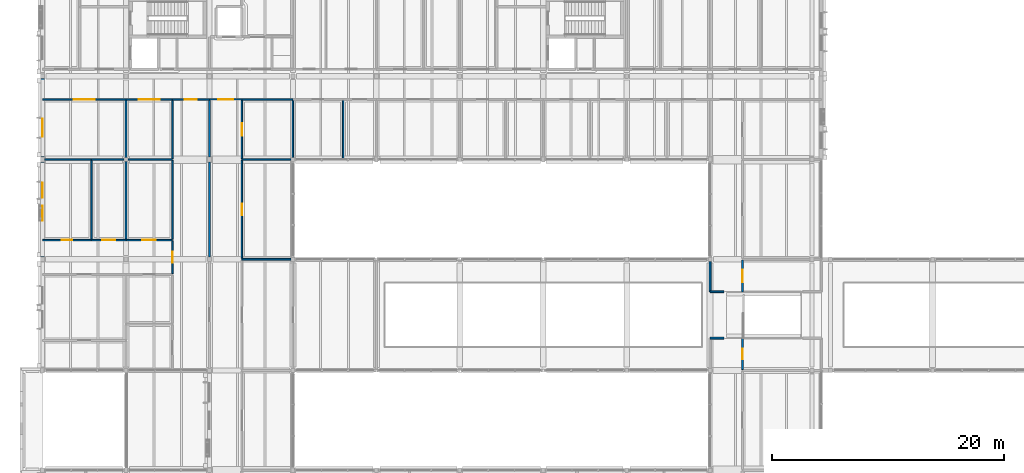
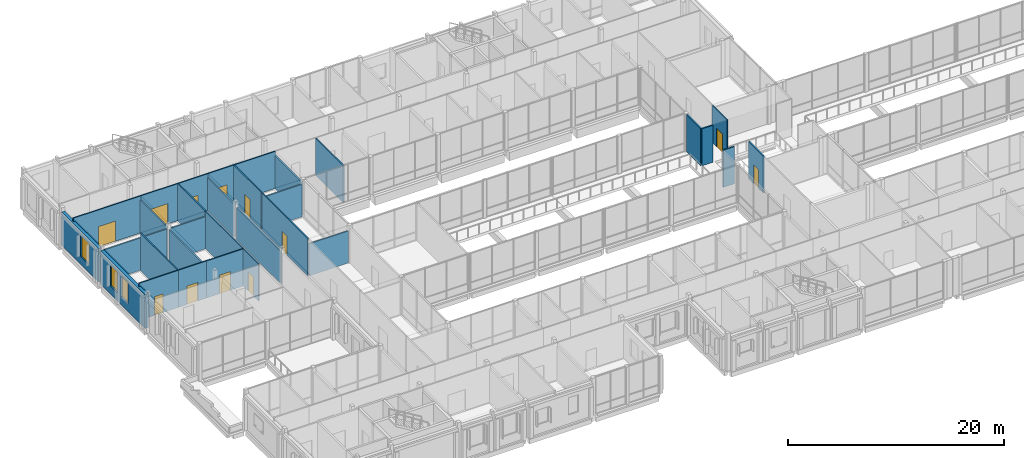
# One storey, part 108 of 146: 32 walls, 12 doors, 3 windows, 15 openings.
"""IFC4 building model written with IfcOpenShell, lengths in metres."""

from ifc_helpers import new_model, si_unit, direction, frame, frame_2d, origin, place, context, subcontext, project, spatial, rectangle, extrude, material, layer, layer_set, type_object, element, fill, save


model = new_model("IFC4")

# Units and contexts
model_context = context("Model", 3, precision=1e-05, world=origin(), true_north=direction((0.0, 1.0)))
body_context = subcontext(model_context, "Body", "Model", "MODEL_VIEW")
ifc_project = project(units=[si_unit("LENGTHUNIT", "METRE"), si_unit("AREAUNIT", "SQUARE_METRE"), si_unit("VOLUMEUNIT", "CUBIC_METRE"), si_unit("PLANEANGLEUNIT", "RADIAN"), si_unit("MASSUNIT", "GRAM", prefix="KILO")], contexts=[model_context])

# Site, building, storey
site_placement = place(None, origin())
site = spatial("IfcSite", under=ifc_project, at=site_placement, CompositionType="ELEMENT")
building_placement = place(site_placement, origin())
building = spatial("IfcBuilding", under=site, at=building_placement, Name="Hawrajan Terrace Health Centre", CompositionType="ELEMENT")
storey_placement = place(building_placement, frame((0.0, 0.0, 4.5)))
storey = spatial("IfcBuildingStorey", under=building, at=storey_placement, Name="L01", CompositionType="ELEMENT", Elevation=4.5)

# Wall, opening, door
ifc_material_1 = material(Name="Gypsum board on acoustic stud framing")
ifc_layer_1 = layer(ifc_material_1, 0.139892578125)
ifc_layer_set_1 = layer_set([ifc_layer_1], Name="Gypsum board on acoustic stud framing")
wall_type_1 = type_object("IfcWallType", Name="ClinicalAcousticWall_140", PredefinedType="PARTITIONING", material=ifc_layer_set_1)
wall_1_placement = place(storey_placement, frame((4.60009765625, 38.449951171875, 0.0), z_axis=(0.0, 0.0, 1.0), x_axis=(1.0, 0.0, 0.0)))
wall_1 = element("IfcWall", 1, at=wall_1_placement, inside=storey, type_object=wall_type_1, Name="Interior wall IW-L01-0510", PredefinedType="PARTITIONING", context=body_context, shape_type="SweptSolid", body=[
    extrude(rectangle(XDim=4.2119140625, YDim=0.139892578125, at=frame_2d((2.10595703125, 0.0))), origin(), (0.0, 0.0, 1.0), 4.179931640625),
])
opening_1_placement = place(wall_1_placement, frame((1.64599609375, 0.0, 0.0)))
opening_1 = element("IfcOpeningElement", 2, at=opening_1_placement, cuts=wall_1, Name="Opening D-L01-312", PredefinedType="OPENING", context=body_context, shape_type="SweptSolid", body=[
    extrude(rectangle(XDim=0.919921875, YDim=2.10009765625, at=frame_2d((0.4599609375, 1.050048828125))), frame((0.0, 0.079833984375, 0.0), z_axis=(0.0, -1.0, 0.0), x_axis=(1.0, 0.0, 0.0)), (0.0, 0.0, 1.0), 0.159912109375),
])
ifc_material_2 = material(Name="Hardwood acoustic clinical door leaf and frame", Category="wood")
door_type_1 = type_object("IfcDoorType", Name="StaffOfficeDoor_920x2100", OperationType="NOTDEFINED", PredefinedType="DOOR", material=ifc_material_2)
door_1_placement = place(opening_1_placement, origin())
door_1 = element("IfcDoor", 3, at=door_1_placement, inside=storey, type_object=door_type_1, Name="Interior door D-L01-312", OperationType="SINGLE_SWING_RIGHT", OverallHeight=2.10009765625, OverallWidth=0.919921875, PredefinedType="DOOR", context=body_context, shape_type="SweptSolid", body=[
    extrude(rectangle(XDim=0.919921875, YDim=2.10009765625, at=frame_2d((0.4599609375, 1.050048828125))), frame((0.0, 0.02490234375, 0.0), z_axis=(0.0, -1.0, 0.0), x_axis=(1.0, 0.0, 0.0)), (0.0, 0.0, 1.0), 0.050048828125),
])
fill(opening_1, door_1)

# Wall
wall_2_placement = place(storey_placement, frame((4.760009765625, 45.39990234375, 0.0), z_axis=(0.0, 0.0, 1.0), x_axis=(1.0, 0.0, 0.0)))
element("IfcWall", 4, at=wall_2_placement, inside=storey, type_object=wall_type_1, Name="Interior wall IW-L01-0511", PredefinedType="PARTITIONING", context=body_context, shape_type="SweptSolid", body=[
    extrude(rectangle(XDim=4.052001953125, YDim=0.139892578125, at=frame_2d((2.02587890625, 0.0))), origin(), (0.0, 0.0, 1.0), 3.659912109375),
])

# Wall, opening, door
wall_3_placement = place(storey_placement, frame((4.60009765625, 50.60009765625, 0.0), z_axis=(0.0, 0.0, 1.0), x_axis=(1.0, 0.0, 0.0)))
wall_3 = element("IfcWall", 5, at=wall_3_placement, inside=storey, type_object=wall_type_1, Name="Interior wall IW-L01-0512", PredefinedType="PARTITIONING", context=body_context, shape_type="SweptSolid", body=[
    extrude(rectangle(XDim=7.199951171875, YDim=0.139892578125, at=frame_2d((3.60009765625, 0.0))), origin(), (0.0, 0.0, 1.0), 4.179931640625),
])
opening_2_placement = place(wall_3_placement, frame((2.699951171875, 0.0, 0.0)))
opening_2 = element("IfcOpeningElement", 6, at=opening_2_placement, cuts=wall_3, Name="Opening D-L01-314", PredefinedType="OPENING", context=body_context, shape_type="SweptSolid", body=[
    extrude(rectangle(XDim=1.800048828125, YDim=2.300048828125, at=frame_2d((0.89990234375, 1.14990234375))), frame((0.0, 0.079833984375, 0.0), z_axis=(0.0, -1.0, 0.0), x_axis=(1.0, 0.0, 0.0)), (0.0, 0.0, 1.0), 0.159912109375),
])
door_type_2 = type_object("IfcDoorType", Name="EducationHallDoor_1800x2300", OperationType="DOUBLE_DOOR_SINGLE_SWING", PredefinedType="DOOR", material=ifc_material_2)
door_2_placement = place(opening_2_placement, origin())
door_2 = element("IfcDoor", 7, at=door_2_placement, inside=storey, type_object=door_type_2, Name="Interior door D-L01-314", OperationType="DOUBLE_DOOR_SINGLE_SWING", OverallHeight=2.300048828125, OverallWidth=1.800048828125, PredefinedType="DOOR", context=body_context, shape_type="SweptSolid", body=[
    extrude(rectangle(XDim=1.800048828125, YDim=2.300048828125, at=frame_2d((0.89990234375, 1.14990234375))), frame((0.0, 0.02490234375, 0.0), z_axis=(0.0, -1.0, 0.0), x_axis=(1.0, 0.0, 0.0)), (0.0, 0.0, 1.0), 0.050048828125),
])
fill(opening_2, door_2)

# Wall
wall_4_placement = place(storey_placement, frame((8.81201171875, 38.52001953125, 0.0), z_axis=(0.0, 0.0, 1.0), x_axis=(0.0, 1.0, 0.0)))
element("IfcWall", 8, at=wall_4_placement, inside=storey, type_object=wall_type_1, Name="Interior wall IW-L01-0520", PredefinedType="PARTITIONING", context=body_context, shape_type="SweptSolid", body=[
    extrude(rectangle(XDim=6.81005859375, YDim=0.139892578125, at=frame_2d((3.405029296875, 0.0))), origin(), (0.0, 0.0, 1.0), 4.179931640625),
])

# Wall, opening, door
wall_5_placement = place(storey_placement, frame((8.81201171875, 38.449951171875, 0.0), z_axis=(0.0, 0.0, 1.0), x_axis=(1.0, 0.0, 0.0)))
wall_5 = element("IfcWall", 9, at=wall_5_placement, inside=storey, type_object=wall_type_1, Name="Interior wall IW-L01-0521", PredefinedType="PARTITIONING", context=body_context, shape_type="SweptSolid", body=[
    extrude(rectangle(XDim=2.988037109375, YDim=0.139892578125, at=frame_2d((1.494140625, 0.0))), origin(), (0.0, 0.0, 1.0), 4.179931640625),
])
opening_3_placement = place(wall_5_placement, frame((0.9140625, 0.0, 0.0)))
opening_3 = element("IfcOpeningElement", 10, at=opening_3_placement, cuts=wall_5, Name="Opening D-L01-313", PredefinedType="OPENING", context=body_context, shape_type="SweptSolid", body=[
    extrude(rectangle(XDim=1.159912109375, YDim=2.10009765625, at=frame_2d((0.580078125, 1.050048828125))), frame((0.0, 0.079833984375, 0.0), z_axis=(0.0, -1.0, 0.0), x_axis=(1.0, 0.0, 0.0)), (0.0, 0.0, 1.0), 0.159912109375),
])
door_type_3 = type_object("IfcDoorType", Name="ConsultDoor_1160x2100", OperationType="NOTDEFINED", PredefinedType="DOOR", material=ifc_material_2)
door_3_placement = place(opening_3_placement, origin())
door_3 = element("IfcDoor", 11, at=door_3_placement, inside=storey, type_object=door_type_3, Name="Interior door D-L01-313", OperationType="SINGLE_SWING_LEFT", OverallHeight=2.10009765625, OverallWidth=1.159912109375, PredefinedType="DOOR", context=body_context, shape_type="SweptSolid", body=[
    extrude(rectangle(XDim=1.159912109375, YDim=2.10009765625, at=frame_2d((0.580078125, 1.050048828125))), frame((0.0, 0.02490234375, 0.0), z_axis=(0.0, -1.0, 0.0), x_axis=(1.0, 0.0, 0.0)), (0.0, 0.0, 1.0), 0.050048828125),
])
fill(opening_3, door_3)

# Walls
wall_6_placement = place(storey_placement, frame((8.81201171875, 45.39990234375, 0.0), z_axis=(0.0, 0.0, 1.0), x_axis=(1.0, 0.0, 0.0)))
element("IfcWall", 12, at=wall_6_placement, inside=storey, type_object=wall_type_1, Name="Interior wall IW-L01-0522", PredefinedType="PARTITIONING", context=body_context, shape_type="SweptSolid", body=[
    extrude(rectangle(XDim=2.80810546875, YDim=0.139892578125, at=frame_2d((1.404052734375, 0.0))), origin(), (0.0, 0.0, 1.0), 3.659912109375),
])
wall_7_placement = place(storey_placement, frame((11.800048828125, 38.52001953125, 0.0), z_axis=(0.0, 0.0, 1.0), x_axis=(0.0, 1.0, 0.0)))
element("IfcWall", 13, at=wall_7_placement, inside=storey, type_object=wall_type_1, Name="Interior wall IW-L01-0530", PredefinedType="PARTITIONING", context=body_context, shape_type="SweptSolid", body=[
    extrude(rectangle(XDim=6.699951171875, YDim=0.139892578125, at=frame_2d((3.35009765625, 0.0))), origin(), (0.0, 0.0, 1.0), 3.6201171875),
])

# Wall, opening, door
wall_8_placement = place(storey_placement, frame((11.800048828125, 38.449951171875, 0.0), z_axis=(0.0, 0.0, 1.0), x_axis=(1.0, 0.0, 0.0)))
wall_8 = element("IfcWall", 14, at=wall_8_placement, inside=storey, type_object=wall_type_1, Name="Interior wall IW-L01-0531", PredefinedType="PARTITIONING", context=body_context, shape_type="SweptSolid", body=[
    extrude(rectangle(XDim=4.0, YDim=0.139892578125, at=frame_2d((2.0, 0.0))), origin(), (0.0, 0.0, 1.0), 4.179931640625),
])
opening_4_placement = place(wall_8_placement, frame((1.419921875, 0.0, 0.0)))
opening_4 = element("IfcOpeningElement", 15, at=opening_4_placement, cuts=wall_8, Name="Opening D-L01-318", PredefinedType="OPENING", context=body_context, shape_type="SweptSolid", body=[
    extrude(rectangle(XDim=1.159912109375, YDim=2.10009765625, at=frame_2d((0.580078125, 1.050048828125))), frame((0.0, 0.079833984375, 0.0), z_axis=(0.0, -1.0, 0.0), x_axis=(1.0, 0.0, 0.0)), (0.0, 0.0, 1.0), 0.159912109375),
])
door_4_placement = place(opening_4_placement, origin())
door_4 = element("IfcDoor", 16, at=door_4_placement, inside=storey, type_object=door_type_3, Name="Interior door D-L01-318", OperationType="SINGLE_SWING_RIGHT", OverallHeight=2.10009765625, OverallWidth=1.159912109375, PredefinedType="DOOR", context=body_context, shape_type="SweptSolid", body=[
    extrude(rectangle(XDim=1.159912109375, YDim=2.10009765625, at=frame_2d((0.580078125, 1.050048828125))), frame((0.0, 0.02490234375, 0.0), z_axis=(0.0, -1.0, 0.0), x_axis=(1.0, 0.0, 0.0)), (0.0, 0.0, 1.0), 0.050048828125),
])
fill(opening_4, door_4)

# Walls
wall_9_placement = place(storey_placement, frame((11.800048828125, 45.580078125, 0.0), z_axis=(0.0, 0.0, 1.0), x_axis=(0.0, 1.0, 0.0)))
element("IfcWall", 17, at=wall_9_placement, inside=storey, type_object=wall_type_1, Name="Interior wall IW-L01-0532", PredefinedType="PARTITIONING", context=body_context, shape_type="SweptSolid", body=[
    extrude(rectangle(XDim=4.949951171875, YDim=0.139892578125, at=frame_2d((2.47509765625, 0.0))), origin(), (0.0, 0.0, 1.0), 3.739990234375),
])
wall_10_placement = place(storey_placement, frame((11.97998046875, 45.39990234375, 0.0), z_axis=(0.0, 0.0, 1.0), x_axis=(1.0, 0.0, 0.0)))
element("IfcWall", 18, at=wall_10_placement, inside=storey, type_object=wall_type_1, Name="Interior wall IW-L01-0533", PredefinedType="PARTITIONING", context=body_context, shape_type="SweptSolid", body=[
    extrude(rectangle(XDim=3.820068359375, YDim=0.139892578125, at=frame_2d((1.91015625, 0.0))), origin(), (0.0, 0.0, 1.0), 3.6201171875),
])

# Wall, opening, door
wall_11_placement = place(storey_placement, frame((11.800048828125, 50.60009765625, 0.0), z_axis=(0.0, 0.0, 1.0), x_axis=(1.0, 0.0, 0.0)))
wall_11 = element("IfcWall", 19, at=wall_11_placement, inside=storey, type_object=wall_type_1, Name="Interior wall IW-L01-0534", PredefinedType="PARTITIONING", context=body_context, shape_type="SweptSolid", body=[
    extrude(rectangle(XDim=4.0, YDim=0.139892578125, at=frame_2d((2.0, 0.0))), origin(), (0.0, 0.0, 1.0), 4.179931640625),
])
opening_5_placement = place(wall_11_placement, frame((1.10009765625, 0.0, 0.0)))
opening_5 = element("IfcOpeningElement", 20, at=opening_5_placement, cuts=wall_11, Name="Opening D-L01-319", PredefinedType="OPENING", context=body_context, shape_type="SweptSolid", body=[
    extrude(rectangle(XDim=1.800048828125, YDim=2.300048828125, at=frame_2d((0.89990234375, 1.14990234375))), frame((0.0, 0.079833984375, 0.0), z_axis=(0.0, -1.0, 0.0), x_axis=(1.0, 0.0, 0.0)), (0.0, 0.0, 1.0), 0.159912109375),
])
door_5_placement = place(opening_5_placement, origin())
door_5 = element("IfcDoor", 21, at=door_5_placement, inside=storey, type_object=door_type_2, Name="Interior door D-L01-319", OperationType="DOUBLE_DOOR_SINGLE_SWING", OverallHeight=2.300048828125, OverallWidth=1.800048828125, PredefinedType="DOOR", context=body_context, shape_type="SweptSolid", body=[
    extrude(rectangle(XDim=1.800048828125, YDim=2.300048828125, at=frame_2d((0.89990234375, 1.14990234375))), frame((0.0, 0.02490234375, 0.0), z_axis=(0.0, -1.0, 0.0), x_axis=(1.0, 0.0, 0.0)), (0.0, 0.0, 1.0), 0.050048828125),
])
fill(opening_5, door_5)

wall_12_placement = place(storey_placement, frame((15.800048828125, 35.570068359375, 0.0), z_axis=(0.0, 0.0, 1.0), x_axis=(0.0, 1.0, 0.0)))
wall_12 = element("IfcWall", 22, at=wall_12_placement, inside=storey, type_object=wall_type_1, Name="Interior wall IW-L01-0539", PredefinedType="PARTITIONING", context=body_context, shape_type="SweptSolid", body=[
    extrude(rectangle(XDim=2.809814453125, YDim=0.139892578125, at=frame_2d((1.40478515625, 0.0))), origin(), (0.0, 0.0, 1.0), 4.179931640625),
])
opening_6_placement = place(wall_12_placement, frame((0.9150390625, 0.0, 0.0)))
opening_6 = element("IfcOpeningElement", 23, at=opening_6_placement, cuts=wall_12, Name="Opening D-L01-260", PredefinedType="OPENING", context=body_context, shape_type="SweptSolid", body=[
    extrude(rectangle(XDim=0.97998046875, YDim=2.14990234375, at=frame_2d((0.489990234375, 1.074951171875))), frame((0.0, 0.079833984375, 0.0), z_axis=(0.0, -1.0, 0.0), x_axis=(1.0, 0.0, 0.0)), (0.0, 0.0, 1.0), 0.159912109375),
])
door_type_4 = type_object("IfcDoorType", Name="ConsultDoor_980x2150", OperationType="NOTDEFINED", PredefinedType="DOOR", material=ifc_material_2)
door_6_placement = place(opening_6_placement, origin())
door_6 = element("IfcDoor", 24, at=door_6_placement, inside=storey, type_object=door_type_4, Name="Interior door D-L01-260", OperationType="SINGLE_SWING_RIGHT", OverallHeight=2.14990234375, OverallWidth=0.97998046875, PredefinedType="DOOR", context=body_context, shape_type="SweptSolid", body=[
    extrude(rectangle(XDim=0.97998046875, YDim=2.14990234375, at=frame_2d((0.489990234375, 1.074951171875))), frame((0.0, 0.02490234375, 0.0), z_axis=(0.0, -1.0, 0.0), x_axis=(1.0, 0.0, 0.0)), (0.0, 0.0, 1.0), 0.050048828125),
])
fill(opening_6, door_6)

# Walls
wall_13_placement = place(storey_placement, frame((15.800048828125, 38.52001953125, 0.0), z_axis=(0.0, 0.0, 1.0), x_axis=(0.0, 1.0, 0.0)))
element("IfcWall", 25, at=wall_13_placement, inside=storey, type_object=wall_type_1, Name="Interior wall IW-L01-0540", PredefinedType="PARTITIONING", context=body_context, shape_type="SweptSolid", body=[
    extrude(rectangle(XDim=6.81005859375, YDim=0.139892578125, at=frame_2d((3.405029296875, 0.0))), origin(), (0.0, 0.0, 1.0), 4.179931640625),
])
wall_14_placement = place(storey_placement, frame((15.800048828125, 45.469970703125, 0.0), z_axis=(0.0, 0.0, 1.0), x_axis=(0.0, 1.0, 0.0)))
element("IfcWall", 26, at=wall_14_placement, inside=storey, type_object=wall_type_1, Name="Interior wall IW-L01-0541", PredefinedType="PARTITIONING", context=body_context, shape_type="SweptSolid", body=[
    extrude(rectangle(XDim=5.06005859375, YDim=0.139892578125, at=frame_2d((2.530029296875, 0.0))), origin(), (0.0, 0.0, 1.0), 4.179931640625),
])

# Wall, opening, door
wall_15_placement = place(storey_placement, frame((15.800048828125, 50.60009765625, 0.0), z_axis=(0.0, 0.0, 1.0), x_axis=(1.0, 0.0, 0.0)))
wall_15 = element("IfcWall", 27, at=wall_15_placement, inside=storey, type_object=wall_type_1, Name="Interior wall IW-L01-0542", PredefinedType="PARTITIONING", context=body_context, shape_type="SweptSolid", body=[
    extrude(rectangle(XDim=3.199951171875, YDim=0.139892578125, at=frame_2d((1.60009765625, 0.0))), origin(), (0.0, 0.0, 1.0), 4.179931640625),
])
opening_7_placement = place(wall_15_placement, frame((1.080078125, 0.0, 0.0)))
opening_7 = element("IfcOpeningElement", 28, at=opening_7_placement, cuts=wall_15, Name="Opening D-L01-257", PredefinedType="OPENING", context=body_context, shape_type="SweptSolid", body=[
    extrude(rectangle(XDim=1.0400390625, YDim=2.10009765625, at=frame_2d((0.52001953125, 1.050048828125))), frame((0.0, 0.079833984375, 0.0), z_axis=(0.0, -1.0, 0.0), x_axis=(1.0, 0.0, 0.0)), (0.0, 0.0, 1.0), 0.159912109375),
])
door_type_5 = type_object("IfcDoorType", Name="ConsultDoor_1040x2100", OperationType="NOTDEFINED", PredefinedType="DOOR", material=ifc_material_2)
door_7_placement = place(opening_7_placement, origin())
door_7 = element("IfcDoor", 29, at=door_7_placement, inside=storey, type_object=door_type_5, Name="Interior door D-L01-257", OperationType="SINGLE_SWING_LEFT", OverallHeight=2.10009765625, OverallWidth=1.0400390625, PredefinedType="DOOR", context=body_context, shape_type="SweptSolid", body=[
    extrude(rectangle(XDim=1.0400390625, YDim=2.10009765625, at=frame_2d((0.52001953125, 1.050048828125))), frame((0.0, 0.02490234375, 0.0), z_axis=(0.0, -1.0, 0.0), x_axis=(1.0, 0.0, 0.0)), (0.0, 0.0, 1.0), 0.050048828125),
])
fill(opening_7, door_7)

# Walls
wall_16_placement = place(storey_placement, frame((19.0, 36.97998046875, 0.0), z_axis=(0.0, 0.0, 1.0), x_axis=(0.0, 1.0, 0.0)))
element("IfcWall", 30, at=wall_16_placement, inside=storey, type_object=wall_type_1, Name="Interior wall IW-L01-0547", PredefinedType="PARTITIONING", context=body_context, shape_type="SweptSolid", body=[
    extrude(rectangle(XDim=8.2099609375, YDim=0.139892578125, at=frame_2d((4.10498046875, 0.0))), origin(), (0.0, 0.0, 1.0), 3.6201171875),
])
wall_17_placement = place(storey_placement, frame((19.0, 45.610107421875, 0.0), z_axis=(0.0, 0.0, 1.0), x_axis=(0.0, 1.0, 0.0)))
element("IfcWall", 31, at=wall_17_placement, inside=storey, type_object=wall_type_1, Name="Interior wall IW-L01-0548", PredefinedType="PARTITIONING", context=body_context, shape_type="SweptSolid", body=[
    extrude(rectangle(XDim=4.919921875, YDim=0.139892578125, at=frame_2d((2.4599609375, 0.0))), origin(), (0.0, 0.0, 1.0), 3.739990234375),
])

# Wall, opening, door
wall_18_placement = place(storey_placement, frame((19.0, 50.60009765625, 0.0), z_axis=(0.0, 0.0, 1.0), x_axis=(1.0, 0.0, 0.0)))
wall_18 = element("IfcWall", 32, at=wall_18_placement, inside=storey, type_object=wall_type_1, Name="Interior wall IW-L01-0549", PredefinedType="PARTITIONING", context=body_context, shape_type="SweptSolid", body=[
    extrude(rectangle(XDim=2.800048828125, YDim=0.139892578125, at=frame_2d((1.39990234375, 0.0))), origin(), (0.0, 0.0, 1.0), 4.179931640625),
])
opening_8_placement = place(wall_18_placement, frame((0.760009765625, 0.0, 0.0)))
opening_8 = element("IfcOpeningElement", 33, at=opening_8_placement, cuts=wall_18, Name="Opening D-L01-258", PredefinedType="OPENING", context=body_context, shape_type="SweptSolid", body=[
    extrude(rectangle(XDim=1.280029296875, YDim=2.199951171875, at=frame_2d((0.64013671875, 1.10009765625))), frame((0.0, 0.079833984375, 0.0), z_axis=(0.0, -1.0, 0.0), x_axis=(1.0, 0.0, 0.0)), (0.0, 0.0, 1.0), 0.159912109375),
])
door_type_6 = type_object("IfcDoorType", Name="ExamSuiteDoor_1280x2200", OperationType="NOTDEFINED", PredefinedType="DOOR", material=ifc_material_2)
door_8_placement = place(opening_8_placement, origin())
door_8 = element("IfcDoor", 34, at=door_8_placement, inside=storey, type_object=door_type_6, Name="Interior door D-L01-258", OperationType="SINGLE_SWING_RIGHT", OverallHeight=2.199951171875, OverallWidth=1.280029296875, PredefinedType="DOOR", context=body_context, shape_type="SweptSolid", body=[
    extrude(rectangle(XDim=1.280029296875, YDim=2.199951171875, at=frame_2d((0.64013671875, 1.10009765625))), frame((0.0, 0.02490234375, 0.0), z_axis=(0.0, -1.0, 0.0), x_axis=(1.0, 0.0, 0.0)), (0.0, 0.0, 1.0), 0.050048828125),
])
fill(opening_8, door_8)

wall_19_placement = place(storey_placement, frame((21.800048828125, 36.8701171875, 0.0), z_axis=(0.0, 0.0, 1.0), x_axis=(0.0, 1.0, 0.0)))
wall_19 = element("IfcWall", 35, at=wall_19_placement, inside=storey, type_object=wall_type_1, Name="Interior wall IW-L01-0557", PredefinedType="PARTITIONING", context=body_context, shape_type="SweptSolid", body=[
    extrude(rectangle(XDim=8.4599609375, YDim=0.139892578125, at=frame_2d((4.22998046875, 0.0))), origin(), (0.0, 0.0, 1.0), 4.179931640625),
])
opening_9_placement = place(wall_19_placement, frame((3.739990234375, 0.0, 0.0)))
opening_9 = element("IfcOpeningElement", 36, at=opening_9_placement, cuts=wall_19, Name="Opening D-L01-306", PredefinedType="OPENING", context=body_context, shape_type="SweptSolid", body=[
    extrude(rectangle(XDim=0.97998046875, YDim=2.14990234375, at=frame_2d((0.489990234375, 1.074951171875))), frame((0.0, 0.079833984375, 0.0), z_axis=(0.0, -1.0, 0.0), x_axis=(1.0, 0.0, 0.0)), (0.0, 0.0, 1.0), 0.159912109375),
])
door_9_placement = place(opening_9_placement, origin())
door_9 = element("IfcDoor", 37, at=door_9_placement, inside=storey, type_object=door_type_4, Name="Interior door D-L01-306", OperationType="SINGLE_SWING_RIGHT", OverallHeight=2.14990234375, OverallWidth=0.97998046875, PredefinedType="DOOR", context=body_context, shape_type="SweptSolid", body=[
    extrude(rectangle(XDim=0.97998046875, YDim=2.14990234375, at=frame_2d((0.489990234375, 1.074951171875))), frame((0.0, 0.02490234375, 0.0), z_axis=(0.0, -1.0, 0.0), x_axis=(1.0, 0.0, 0.0)), (0.0, 0.0, 1.0), 0.050048828125),
])
fill(opening_9, door_9)

# Wall
wall_20_placement = place(storey_placement, frame((21.800048828125, 36.800048828125, 0.0), z_axis=(0.0, 0.0, 1.0), x_axis=(1.0, 0.0, 0.0)))
element("IfcWall", 38, at=wall_20_placement, inside=storey, type_object=wall_type_1, Name="Interior wall IW-L01-0558", PredefinedType="PARTITIONING", context=body_context, shape_type="SweptSolid", body=[
    extrude(rectangle(XDim=4.219970703125, YDim=0.139892578125, at=frame_2d((2.10986328125, 0.0))), origin(), (0.0, 0.0, 1.0), 3.6201171875),
])

# Wall, opening, door
wall_21_placement = place(storey_placement, frame((21.800048828125, 45.469970703125, 0.0), z_axis=(0.0, 0.0, 1.0), x_axis=(0.0, 1.0, 0.0)))
wall_21 = element("IfcWall", 39, at=wall_21_placement, inside=storey, type_object=wall_type_1, Name="Interior wall IW-L01-0559", PredefinedType="PARTITIONING", context=body_context, shape_type="SweptSolid", body=[
    extrude(rectangle(XDim=5.06005859375, YDim=0.139892578125, at=frame_2d((2.530029296875, 0.0))), origin(), (0.0, 0.0, 1.0), 4.179931640625),
])
opening_10_placement = place(wall_21_placement, frame((2.010009765625, 0.0, 0.0)))
opening_10 = element("IfcOpeningElement", 40, at=opening_10_placement, cuts=wall_21, Name="Opening D-L01-320", PredefinedType="OPENING", context=body_context, shape_type="SweptSolid", body=[
    extrude(rectangle(XDim=1.0400390625, YDim=2.10009765625, at=frame_2d((0.52001953125, 1.050048828125))), frame((0.0, 0.079833984375, 0.0), z_axis=(0.0, -1.0, 0.0), x_axis=(1.0, 0.0, 0.0)), (0.0, 0.0, 1.0), 0.159912109375),
])
door_10_placement = place(opening_10_placement, origin())
door_10 = element("IfcDoor", 41, at=door_10_placement, inside=storey, type_object=door_type_5, Name="Interior door D-L01-320", OperationType="SINGLE_SWING_RIGHT", OverallHeight=2.10009765625, OverallWidth=1.0400390625, PredefinedType="DOOR", context=body_context, shape_type="SweptSolid", body=[
    extrude(rectangle(XDim=1.0400390625, YDim=2.10009765625, at=frame_2d((0.52001953125, 1.050048828125))), frame((0.0, 0.02490234375, 0.0), z_axis=(0.0, -1.0, 0.0), x_axis=(1.0, 0.0, 0.0)), (0.0, 0.0, 1.0), 0.050048828125),
])
fill(opening_10, door_10)

# Walls
wall_22_placement = place(storey_placement, frame((21.800048828125, 45.39990234375, 0.0), z_axis=(0.0, 0.0, 1.0), x_axis=(1.0, 0.0, 0.0)))
element("IfcWall", 42, at=wall_22_placement, inside=storey, type_object=wall_type_1, Name="Interior wall IW-L01-0560", PredefinedType="PARTITIONING", context=body_context, shape_type="SweptSolid", body=[
    extrude(rectangle(XDim=4.219970703125, YDim=0.139892578125, at=frame_2d((2.10986328125, 0.0))), origin(), (0.0, 0.0, 1.0), 3.659912109375),
])
wall_23_placement = place(storey_placement, frame((21.800048828125, 50.60009765625, 0.0), z_axis=(0.0, 0.0, 1.0), x_axis=(1.0, 0.0, 0.0)))
element("IfcWall", 43, at=wall_23_placement, inside=storey, type_object=wall_type_1, Name="Interior wall IW-L01-0561", PredefinedType="PARTITIONING", context=body_context, shape_type="SweptSolid", body=[
    extrude(rectangle(XDim=4.39990234375, YDim=0.139892578125, at=frame_2d((2.199951171875, 0.0))), origin(), (0.0, 0.0, 1.0), 4.179931640625),
])
wall_24_placement = place(storey_placement, frame((26.199951171875, 45.580078125, 0.0), z_axis=(0.0, 0.0, 1.0), x_axis=(0.0, 1.0, 0.0)))
element("IfcWall", 44, at=wall_24_placement, inside=storey, type_object=wall_type_1, Name="Interior wall IW-L01-0568", PredefinedType="PARTITIONING", context=body_context, shape_type="SweptSolid", body=[
    extrude(rectangle(XDim=4.949951171875, YDim=0.139892578125, at=frame_2d((2.47509765625, 0.0))), origin(), (0.0, 0.0, 1.0), 3.739990234375),
])
wall_25_placement = place(storey_placement, frame((30.533935546875, 45.39990234375, 0.0), z_axis=(0.0, 0.0, 1.0), x_axis=(0.0, 1.0, 0.0)))
element("IfcWall", 45, at=wall_25_placement, inside=storey, type_object=wall_type_1, Name="Interior wall IW-L01-0576", PredefinedType="PARTITIONING", context=body_context, shape_type="SweptSolid", body=[
    extrude(rectangle(XDim=5.130126953125, YDim=0.139892578125, at=frame_2d((2.56494140625, 0.0))), origin(), (0.0, 0.0, 1.0), 4.179931640625),
])

# Wall, opening, door
wall_26_placement = place(storey_placement, frame((65.0, 27.27001953125, 0.0), z_axis=(0.0, 0.0, 1.0), x_axis=(0.0, 1.0, 0.0)))
wall_26 = element("IfcWall", 46, at=wall_26_placement, inside=storey, type_object=wall_type_1, Name="Interior wall IW-L01-0636", PredefinedType="PARTITIONING", context=body_context, shape_type="SweptSolid", body=[
    extrude(rectangle(XDim=2.72998046875, YDim=0.139892578125, at=frame_2d((1.364990234375, 0.0))), origin(), (0.0, 0.0, 1.0), 4.179931640625),
])
opening_11_placement = place(wall_26_placement, frame((0.9150390625, 0.0, 0.0)))
opening_11 = element("IfcOpeningElement", 47, at=opening_11_placement, cuts=wall_26, Name="Opening D-L01-292", PredefinedType="OPENING", context=body_context, shape_type="SweptSolid", body=[
    extrude(rectangle(XDim=0.89990234375, YDim=2.10009765625, at=frame_2d((0.449951171875, 1.050048828125))), frame((0.0, 0.079833984375, 0.0), z_axis=(0.0, -1.0, 0.0), x_axis=(1.0, 0.0, 0.0)), (0.0, 0.0, 1.0), 0.159912109375),
])
door_type_7 = type_object("IfcDoorType", Name="PatientWCDoor_900x2100", OperationType="NOTDEFINED", PredefinedType="DOOR", material=ifc_material_2)
door_11_placement = place(opening_11_placement, origin())
door_11 = element("IfcDoor", 48, at=door_11_placement, inside=storey, type_object=door_type_7, Name="Interior door D-L01-292", OperationType="SINGLE_SWING_RIGHT", OverallHeight=2.10009765625, OverallWidth=0.89990234375, PredefinedType="DOOR", context=body_context, shape_type="SweptSolid", body=[
    extrude(rectangle(XDim=0.89990234375, YDim=2.10009765625, at=frame_2d((0.449951171875, 1.050048828125))), frame((0.0, 0.02490234375, 0.0), z_axis=(0.0, -1.0, 0.0), x_axis=(1.0, 0.0, 0.0)), (0.0, 0.0, 1.0), 0.050048828125),
])
fill(opening_11, door_11)

wall_27_placement = place(storey_placement, frame((65.0, 34.0, 0.0), z_axis=(0.0, 0.0, 1.0), x_axis=(0.0, 1.0, 0.0)))
wall_27 = element("IfcWall", 49, at=wall_27_placement, inside=storey, type_object=wall_type_1, Name="Interior wall IW-L01-0639", PredefinedType="PARTITIONING", context=body_context, shape_type="SweptSolid", body=[
    extrude(rectangle(XDim=2.72998046875, YDim=0.139892578125, at=frame_2d((1.364990234375, 0.0))), origin(), (0.0, 0.0, 1.0), 4.179931640625),
])
opening_12_placement = place(wall_27_placement, frame((0.81494140625, 0.0, 0.0)))
opening_12 = element("IfcOpeningElement", 50, at=opening_12_placement, cuts=wall_27, Name="Opening D-L01-293", PredefinedType="OPENING", context=body_context, shape_type="SweptSolid", body=[
    extrude(rectangle(XDim=1.10009765625, YDim=2.10009765625, at=frame_2d((0.550048828125, 1.050048828125))), frame((0.0, 0.079833984375, 0.0), z_axis=(0.0, -1.0, 0.0), x_axis=(1.0, 0.0, 0.0)), (0.0, 0.0, 1.0), 0.159912109375),
])
door_type_8 = type_object("IfcDoorType", Name="ConsultDoor_1100x2100", OperationType="NOTDEFINED", PredefinedType="DOOR", material=ifc_material_2)
door_12_placement = place(opening_12_placement, origin())
door_12 = element("IfcDoor", 51, at=door_12_placement, inside=storey, type_object=door_type_8, Name="Interior door D-L01-293", OperationType="SINGLE_SWING_LEFT", OverallHeight=2.10009765625, OverallWidth=1.10009765625, PredefinedType="DOOR", context=body_context, shape_type="SweptSolid", body=[
    extrude(rectangle(XDim=1.10009765625, YDim=2.10009765625, at=frame_2d((0.550048828125, 1.050048828125))), frame((0.0, 0.02490234375, 0.0), z_axis=(0.0, -1.0, 0.0), x_axis=(1.0, 0.0, 0.0)), (0.0, 0.0, 1.0), 0.050048828125),
])
fill(opening_12, door_12)

# Wall, opening, window
ifc_material_3 = material(Name="Precast concrete C40/50", Category="concrete")
ifc_layer_2 = layer(ifc_material_3, 0.340087890625)
ifc_layer_set_2 = layer_set([ifc_layer_2], Name="Precast concrete C40/50")
wall_type_2 = type_object("IfcWallType", Name="CoralAshlarWall_340", PredefinedType="SOLIDWALL", material=ifc_layer_set_2)
wall_28_placement = place(storey_placement, frame((4.60009765625, 45.610107421875, 0.0), z_axis=(0.0, 0.0, 1.0), x_axis=(0.0, 1.0, 0.0)))
wall_28 = element("IfcWall", 52, at=wall_28_placement, inside=storey, type_object=wall_type_2, Name="Exterior wall EW-L01-V00-05-1", PredefinedType="SOLIDWALL", context=body_context, shape_type="SweptSolid", body=[
    extrude(rectangle(XDim=6.809814453125, YDim=0.340087890625, at=frame_2d((3.40478515625, 0.0))), origin(), (0.0, 0.0, 1.0), 3.800048828125),
])
opening_13_placement = place(wall_28_placement, frame((1.780029296875, 0.0, 0.89990234375)))
opening_13 = element("IfcOpeningElement", 53, at=opening_13_placement, cuts=wall_28, Name="Opening W-L01-053", PredefinedType="OPENING", context=body_context, shape_type="SweptSolid", body=[
    extrude(rectangle(XDim=1.550048828125, YDim=2.39990234375, at=frame_2d((0.77490234375, 1.199951171875))), frame((0.0, 0.179931640625, 0.0), z_axis=(0.0, -1.0, 0.0), x_axis=(1.0, 0.0, 0.0)), (0.0, 0.0, 1.0), 0.360107421875),
])
ifc_material_4 = material(Name="Anodized bronze frame with double low-E glazing", Category="glass")
window_type_1 = type_object("IfcWindowType", Name="FacadeWindow_1550x2400", PartitioningType="DOUBLE_PANEL_VERTICAL", PredefinedType="WINDOW", material=ifc_material_4)
window_1_placement = place(opening_13_placement, origin())
window_1 = element("IfcWindow", 54, at=window_1_placement, inside=storey, type_object=window_type_1, Name="Window W-L01-053", OverallHeight=2.39990234375, OverallWidth=1.550048828125, PartitioningType="DOUBLE_PANEL_VERTICAL", PredefinedType="WINDOW", context=body_context, shape_type="SweptSolid", body=[
    extrude(rectangle(XDim=1.550048828125, YDim=2.39990234375, at=frame_2d((0.77490234375, 1.199951171875))), frame((0.0, 0.030029296875, 0.0), z_axis=(0.0, -1.0, 0.0), x_axis=(1.0, 0.0, 0.0)), (0.0, 0.0, 1.0), 0.06005859375),
])
fill(opening_13, window_1)

# Wall, openings, windows
ifc_layer_3 = layer(ifc_material_3, 0.360107421875)
ifc_layer_set_3 = layer_set([ifc_layer_3], Name="Precast concrete C40/50")
wall_type_3 = type_object("IfcWallType", Name="CoralPodiumWall_360", PredefinedType="SOLIDWALL", material=ifc_layer_set_3)
wall_29_placement = place(storey_placement, frame((4.60009765625, 36.97998046875, 0.0), z_axis=(0.0, 0.0, 1.0), x_axis=(0.0, 1.0, 0.0)))
wall_29 = element("IfcWall", 55, at=wall_29_placement, inside=storey, type_object=wall_type_3, Name="Exterior wall EW-L01-V00-04-1", PredefinedType="SOLIDWALL", context=body_context, shape_type="SweptSolid", body=[
    extrude(rectangle(XDim=8.2099609375, YDim=0.360107421875, at=frame_2d((4.10498046875, 0.0))), origin(), (0.0, 0.0, 1.0), 3.800048828125),
])
opening_14_placement = place(wall_29_placement, frame((3.139892578125, 0.0, 0.89990234375)))
opening_14 = element("IfcOpeningElement", 56, at=opening_14_placement, cuts=wall_29, Name="Opening W-L01-051", PredefinedType="OPENING", context=body_context, shape_type="SweptSolid", body=[
    extrude(rectangle(XDim=1.300048828125, YDim=2.39990234375, at=frame_2d((0.64990234375, 1.199951171875))), frame((0.0, 0.18994140625, 0.0), z_axis=(0.0, -1.0, 0.0), x_axis=(1.0, 0.0, 0.0)), (0.0, 0.0, 1.0), 0.380126953125),
])
opening_15_placement = place(wall_29_placement, frame((5.1201171875, 0.0, 0.89990234375)))
opening_15 = element("IfcOpeningElement", 57, at=opening_15_placement, cuts=wall_29, Name="Opening W-L01-052", PredefinedType="OPENING", context=body_context, shape_type="SweptSolid", body=[
    extrude(rectangle(XDim=1.300048828125, YDim=2.39990234375, at=frame_2d((0.64990234375, 1.199951171875))), frame((0.0, 0.18994140625, 0.0), z_axis=(0.0, -1.0, 0.0), x_axis=(1.0, 0.0, 0.0)), (0.0, 0.0, 1.0), 0.380126953125),
])
window_type_2 = type_object("IfcWindowType", Name="FacadeWindow_1300x2400", PartitioningType="SINGLE_PANEL", PredefinedType="WINDOW", material=ifc_material_4)
window_2_placement = place(opening_14_placement, origin())
window_2 = element("IfcWindow", 58, at=window_2_placement, inside=storey, type_object=window_type_2, Name="Window W-L01-051", OverallHeight=2.39990234375, OverallWidth=1.300048828125, PartitioningType="SINGLE_PANEL", PredefinedType="WINDOW", context=body_context, shape_type="SweptSolid", body=[
    extrude(rectangle(XDim=1.300048828125, YDim=2.39990234375, at=frame_2d((0.64990234375, 1.199951171875))), frame((0.0, 0.030029296875, 0.0), z_axis=(0.0, -1.0, 0.0), x_axis=(1.0, 0.0, 0.0)), (0.0, 0.0, 1.0), 0.06005859375),
])
fill(opening_14, window_2)
window_3_placement = place(opening_15_placement, origin())
window_3 = element("IfcWindow", 59, at=window_3_placement, inside=storey, type_object=window_type_2, Name="Window W-L01-052", OverallHeight=2.39990234375, OverallWidth=1.300048828125, PartitioningType="SINGLE_PANEL", PredefinedType="WINDOW", context=body_context, shape_type="SweptSolid", body=[
    extrude(rectangle(XDim=1.300048828125, YDim=2.39990234375, at=frame_2d((0.64990234375, 1.199951171875))), frame((0.0, 0.030029296875, 0.0), z_axis=(0.0, -1.0, 0.0), x_axis=(1.0, 0.0, 0.0)), (0.0, 0.0, 1.0), 0.06005859375),
])
fill(opening_15, window_3)

# Walls
ifc_layer_4 = layer(ifc_material_1, 0.159912109375)
ifc_layer_set_4 = layer_set([ifc_layer_4], Name="Gypsum board on acoustic stud framing")
wall_type_4 = type_object("IfcWallType", Name="CorridorFireWall_160", PredefinedType="PARTITIONING", material=ifc_layer_set_4)
for number, where, z_axis, x_axis, name in (
    (60, (63.39453125, 30.0, 0.0), (0.0, 0.0, 1.0), (-1.0, 0.0, 0.0), "Interior wall IW-L01-0920"),
    (61, (62.199951171875, 34.0, 0.0), (0.0, 0.0, 1.0), (1.0, 0.0, 0.0), "Interior wall IW-L01-0922"),
):
    element("IfcWall", number, at=place(storey_placement, frame(where, z_axis=z_axis, x_axis=x_axis)), inside=storey, type_object=wall_type_4, Name=name, PredefinedType="PARTITIONING", context=body_context, shape_type="SweptSolid", body=[
        extrude(rectangle(XDim=1.194580078125, YDim=0.159912109375, at=frame_2d((0.59716796875, 0.0))), origin(), (0.0, 0.0, 1.0), 4.179931640625),
    ])
wall_30_placement = place(storey_placement, frame((62.199951171875, 34.0, 0.0), z_axis=(0.0, 0.0, 1.0), x_axis=(0.0, 1.0, 0.0)))
element("IfcWall", 62, at=wall_30_placement, inside=storey, type_object=wall_type_4, Name="Interior wall IW-L01-0923", PredefinedType="PARTITIONING", context=body_context, shape_type="SweptSolid", body=[
    extrude(rectangle(XDim=2.6201171875, YDim=0.159912109375, at=frame_2d((1.31005859375, 0.0))), origin(), (0.0, 0.0, 1.0), 4.179931640625),
])

save(model, "model.ifc")
